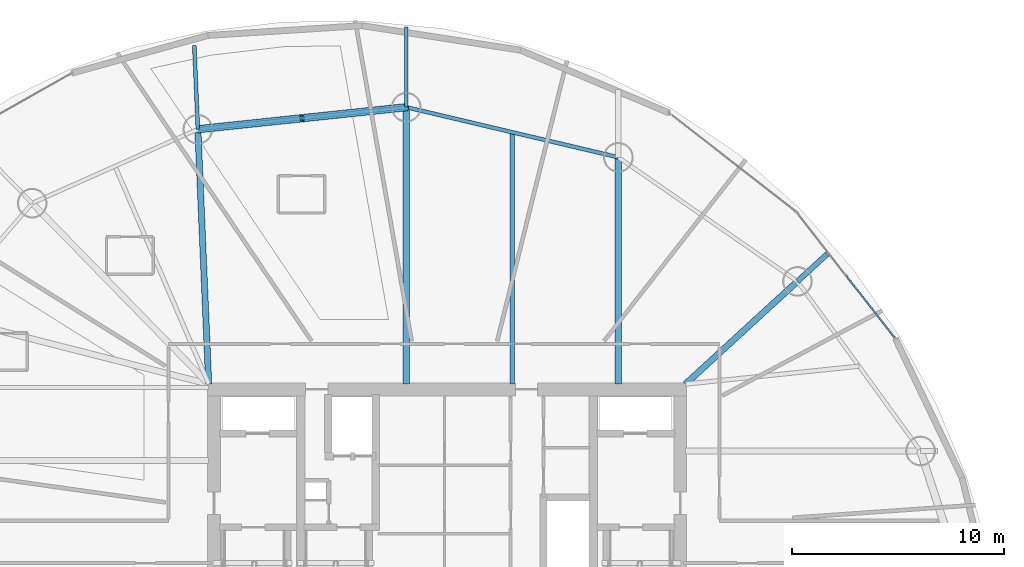
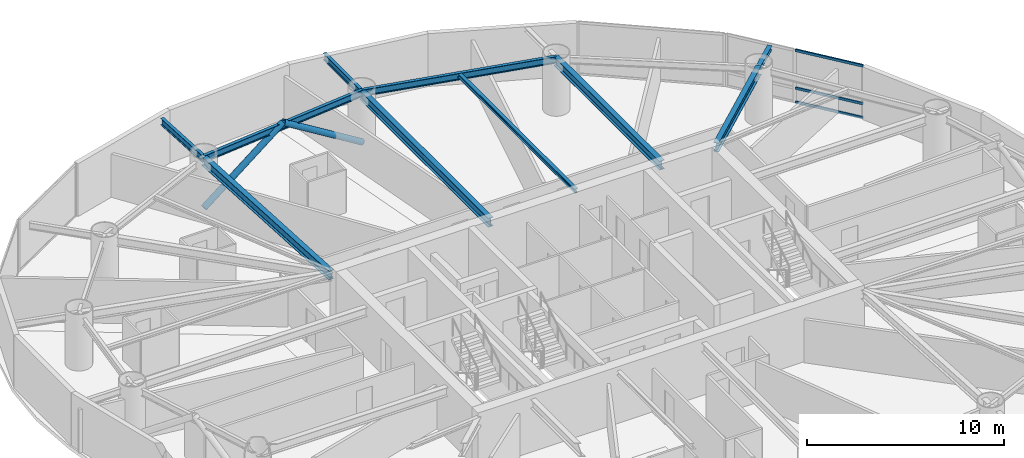
# One storey, part 11 of 20: 10 beams, 5 members, 1 element without a shape of its own.
"""IFC4 building model written with IfcOpenShell, lengths in metres."""

from ifc_helpers import new_model, si_unit, direction, frame, origin, origin_2d, place, context, subcontext, project, spatial, hollow_rectangle, hollow_circle, i_section, extrude, material, layer, layer_set, material_profile, profile_set, type_object, element, aggregate, save


model = new_model("IFC4")

# Units and contexts
model_context = context("Model", 3, precision=1e-05, world=origin(), true_north=direction((0.0, 1.0)))
body_context = subcontext(model_context, "Body", "Model", "MODEL_VIEW")
ifc_project = project(units=[si_unit("LENGTHUNIT", "METRE"), si_unit("AREAUNIT", "SQUARE_METRE"), si_unit("VOLUMEUNIT", "CUBIC_METRE"), si_unit("PLANEANGLEUNIT", "RADIAN"), si_unit("MASSUNIT", "GRAM", prefix="KILO")], contexts=[model_context])

# Site, building, storey
site_placement = place(None, origin())
site = spatial("IfcSite", under=ifc_project, at=site_placement, CompositionType="ELEMENT")
building_placement = place(site_placement, origin())
building = spatial("IfcBuilding", under=site, at=building_placement, Name="Bramvorn Convention Spire", CompositionType="ELEMENT")
storey_placement = place(building_placement, frame((0.0, 0.0, 151.800048828125)))
storey = spatial("IfcBuildingStorey", under=building, at=storey_placement, Name="L38", CompositionType="ELEMENT", Elevation=151.800048828125)

# Beams
ifc_material_1 = material(Name="Steel CSA G40.21 Grade 350 (350W)", Category="steel")
ifc_material_profile_1 = material_profile(ifc_material_1, i_section(OverallWidth=0.201904296875, OverallDepth=0.2470703125, WebThickness=0.00732421875, FlangeThickness=0.010986328125, FilletRadius=0.011962890625, at=origin_2d()))
ifc_profile_set_1 = profile_set([ifc_material_profile_1], Name="Steel CSA G40.21 Grade 350 (350W) - W250X49")
beam_type_1 = type_object("IfcBeamType", Name="BM-W250X49", PredefinedType="JOIST", material=ifc_profile_set_1)
beam_1_placement = place(storey_placement, frame((41.079345703125, 33.449951171875, 3.136474609375), z_axis=(0.0, 1.0, 0.0), x_axis=(-1.0, 0.0, 0.0)))
element("IfcBeam", 1, at=beam_1_placement, inside=storey, type_object=beam_type_1, Name="L38 composite floor joist 05", PredefinedType="JOIST", context=body_context, shape_type="SweptSolid", body=[
    extrude(i_section(OverallWidth=0.201904296875, OverallDepth=0.2470703125, WebThickness=0.00732421875, FlangeThickness=0.010986328125, FilletRadius=0.011962890625, at=origin_2d()), origin(), (0.0, 0.0, 1.0), 11.8857421875),
])
ifc_material_profile_2 = material_profile(ifc_material_1, i_section(OverallWidth=0.25390625, OverallDepth=0.2529296875, WebThickness=0.008544921875, FlangeThickness=0.01416015625, FilletRadius=0.011962890625, at=origin_2d()))
ifc_profile_set_2 = profile_set([ifc_material_profile_2], Name="Steel CSA G40.21 Grade 350 (350W) - W250X73")
beam_type_2 = type_object("IfcBeamType", Name="BM-W250X73", PredefinedType="BEAM", material=ifc_profile_set_2)
beam_2_placement = place(storey_placement, frame((54.534912109375, 38.299072265625, 3.1083984375), z_axis=(0.736834124863, 0.676073570285, 0.0), x_axis=(-0.676073570285, 0.736834124863, 0.0)))
element("IfcBeam", 2, at=beam_2_placement, inside=storey, type_object=beam_type_2, Name="L38 slab-edge cantilever tip beam MC04", PredefinedType="BEAM", context=body_context, shape_type="SweptSolid", body=[
    extrude(i_section(OverallWidth=0.25390625, OverallDepth=0.2529296875, WebThickness=0.008544921875, FlangeThickness=0.01416015625, FilletRadius=0.011962890625, at=origin_2d()), origin(), (0.0, 0.0, 1.0), 1.900634765625),
])
ifc_material_profile_3 = material_profile(ifc_material_1, i_section(OverallWidth=0.180908203125, OverallDepth=0.4169921875, WebThickness=0.010986328125, FlangeThickness=0.018310546875, FilletRadius=0.01611328125, at=origin_2d()))
ifc_profile_set_3 = profile_set([ifc_material_profile_3], Name="Steel CSA G40.21 Grade 350 (350W) - W410X85")
beam_type_3 = type_object("IfcBeamType", Name="BM-W410X85", PredefinedType="JOIST", material=ifc_profile_set_3)
beam_3_placement = place(storey_placement, frame((46.082763671875, 44.154052734375, 3.051513671875), z_axis=(-0.97322750491, 0.229843911572, 0.0), x_axis=(-0.229843911572, -0.97322750491, 0.0)))
element("IfcBeam", 3, at=beam_3_placement, inside=storey, type_object=beam_type_3, Name="L38 mega-column ring beam 05", PredefinedType="JOIST", context=body_context, shape_type="SweptSolid", body=[
    extrude(i_section(OverallWidth=0.180908203125, OverallDepth=0.4169921875, WebThickness=0.010986328125, FlangeThickness=0.018310546875, FilletRadius=0.01611328125, at=origin_2d()), origin(), (0.0, 0.0, 1.0), 10.2822265625),
])
beam_4_placement = place(storey_placement, frame((36.075927734375, 46.517333984375, 3.0263671875), z_axis=(0.0, 1.0, 0.0), x_axis=(-1.0, 0.0, 0.0)))
element("IfcBeam", 4, at=beam_4_placement, inside=storey, type_object=beam_type_3, Name="L38 Sky-Garden cantilever tip girder MC06", PredefinedType="JOIST", context=body_context, shape_type="SweptSolid", body=[
    extrude(i_section(OverallWidth=0.180908203125, OverallDepth=0.4169921875, WebThickness=0.010986328125, FlangeThickness=0.018310546875, FilletRadius=0.01611328125, at=origin_2d()), origin(), (0.0, 0.0, 1.0), 3.778076171875),
])
beam_5_placement = place(storey_placement, frame((36.075927734375, 46.517333984375, 3.051513671875), z_axis=(-0.994473491975, -0.104987969596, 0.0), x_axis=(0.104987969596, -0.994473491975, 0.0)))
element("IfcBeam", 5, at=beam_5_placement, inside=storey, type_object=beam_type_3, Name="L38 mega-column ring beam 06", PredefinedType="JOIST", context=body_context, shape_type="SweptSolid", body=[
    extrude(i_section(OverallWidth=0.180908203125, OverallDepth=0.4169921875, WebThickness=0.010986328125, FlangeThickness=0.018310546875, FilletRadius=0.01611328125, at=origin_2d()), origin(), (0.0, 0.0, 1.0), 9.892333984375),
])
beam_6_placement = place(storey_placement, frame((26.23828125, 45.478759765625, 3.0263671875), z_axis=(-0.042525218442, 0.999095393742, 0.0), x_axis=(-0.999095393742, -0.042525218442, 0.0)))
element("IfcBeam", 6, at=beam_6_placement, inside=storey, type_object=beam_type_3, Name="L38 Sky-Garden cantilever tip girder MC07", PredefinedType="JOIST", context=body_context, shape_type="SweptSolid", body=[
    extrude(i_section(OverallWidth=0.180908203125, OverallDepth=0.4169921875, WebThickness=0.010986328125, FlangeThickness=0.018310546875, FilletRadius=0.01611328125, at=origin_2d()), origin(), (0.0, 0.0, 1.0), 3.949951171875),
])
ifc_material_profile_4 = material_profile(ifc_material_1, i_section(OverallWidth=0.2919921875, OverallDepth=0.551025390625, WebThickness=0.01513671875, FlangeThickness=0.0244140625, FilletRadius=0.01904296875, at=origin_2d()))
ifc_profile_set_4 = profile_set([ifc_material_profile_4], Name="Steel CSA G40.21 Grade 350 (350W) - W530X182")
beam_type_4 = type_object("IfcBeamType", Name="BM-W530X182", PredefinedType="BEAM", material=ifc_profile_set_4)
beam_7_placement = place(storey_placement, frame((49.25, 33.449951171875, 2.984375), z_axis=(0.736833323746, 0.676074443399, 0.0), x_axis=(-0.676074443399, 0.736833323746, 0.0)))
element("IfcBeam", 7, at=beam_7_placement, inside=storey, type_object=beam_type_4, Name="L38 radial floor girder MC04", PredefinedType="BEAM", context=body_context, shape_type="SweptSolid", body=[
    extrude(i_section(OverallWidth=0.2919921875, OverallDepth=0.551025390625, WebThickness=0.01513671875, FlangeThickness=0.0244140625, FilletRadius=0.01904296875, at=origin_2d()), origin(), (0.0, 0.0, 1.0), 7.17236328125),
])
beam_8_placement = place(storey_placement, frame((46.082763671875, 33.449951171875, 2.984375), z_axis=(0.0, 1.0, 0.0), x_axis=(-1.0, 0.0, 0.0)))
element("IfcBeam", 8, at=beam_8_placement, inside=storey, type_object=beam_type_4, Name="L38 radial floor girder MC05", PredefinedType="BEAM", context=body_context, shape_type="SweptSolid", body=[
    extrude(i_section(OverallWidth=0.2919921875, OverallDepth=0.551025390625, WebThickness=0.01513671875, FlangeThickness=0.0244140625, FilletRadius=0.01904296875, at=origin_2d()), origin(), (0.0, 0.0, 1.0), 10.7041015625),
])
beam_9_placement = place(storey_placement, frame((36.075927734375, 33.449951171875, 2.95947265625), z_axis=(0.0, 1.0, 0.0), x_axis=(-1.0, 0.0, 0.0)))
element("IfcBeam", 9, at=beam_9_placement, inside=storey, type_object=beam_type_4, Name="L38 Sky-Garden back-span radial girder MC06", PredefinedType="BEAM", context=body_context, shape_type="SweptSolid", body=[
    extrude(i_section(OverallWidth=0.2919921875, OverallDepth=0.551025390625, WebThickness=0.01513671875, FlangeThickness=0.0244140625, FilletRadius=0.01904296875, at=origin_2d()), origin(), (0.0, 0.0, 1.0), 13.0673828125),
])
beam_10_placement = place(storey_placement, frame((26.75, 33.449951171875, 2.95947265625), z_axis=(-0.042502657955, 0.999096353745, 0.0), x_axis=(-0.999096353745, -0.042502657955, 0.0)))
element("IfcBeam", 10, at=beam_10_placement, inside=storey, type_object=beam_type_4, Name="L38 Sky-Garden back-span radial girder MC07", PredefinedType="BEAM", context=body_context, shape_type="SweptSolid", body=[
    extrude(i_section(OverallWidth=0.2919921875, OverallDepth=0.551025390625, WebThickness=0.01513671875, FlangeThickness=0.0244140625, FilletRadius=0.01904296875, at=origin_2d()), origin(), (0.0, 0.0, 1.0), 12.039794921875),
])

# Curtain wall, members
ifc_material_2 = material(Name="Anodised Bronze Unitised Curtain Wall", Category="aluminium")
ifc_layer = layer(ifc_material_2, 0.179931640625)
ifc_layer_set = layer_set([ifc_layer], Name="Anodised Bronze Unitised Curtain Wall - CW-HTL-FRIT")
curtain_wall_type = type_object("IfcCurtainWallType", Name="CW-HTL-FRIT", PredefinedType="USERDEFINED", material=ifc_layer_set)
curtain_wall_placement = place(storey_placement, origin())
curtain_wall = element("IfcCurtainWall", 11, at=curtain_wall_placement, inside=storey, type_object=curtain_wall_type, Name="L38 fritted glass curtain wall 05", ObjectType="UNITISED CURTAIN WALL", PredefinedType="USERDEFINED")
ifc_material_3 = material(Name="Anodised Bronze Aluminium 6063-T6", Category="aluminium")
ifc_material_profile_5 = material_profile(ifc_material_3, hollow_rectangle(XDim=0.080078125, YDim=0.159912109375, WallThickness=0.00390625, InnerFilletRadius=0.0009765625, OuterFilletRadius=0.00390625, at=origin_2d()))
ifc_profile_set_5 = profile_set([ifc_material_profile_5], Name="Anodised Bronze Aluminium 6063-T6 - CWT80X160")
member_type_1 = type_object("IfcMemberType", Name="CW-TRN-150", PredefinedType="USERDEFINED", material=ifc_profile_set_5)
member_1_placement = place(storey_placement, frame((56.844970703125, 38.55859375, 0.030029296875), z_axis=(0.615668405964, -0.788005338749, 0.0), x_axis=(0.788005338749, 0.615668405964, 0.0)))
member_1 = element("IfcMember", 12, at=member_1_placement, type_object=member_type_1, Name="CW2 transom 2.1", ObjectType="TRANSOM", PredefinedType="USERDEFINED", context=body_context, shape_type="SweptSolid", body=[
    extrude(hollow_rectangle(XDim=0.080078125, YDim=0.159912109375, WallThickness=0.00390625, InnerFilletRadius=0.0009765625, OuterFilletRadius=0.00390625, at=origin_2d()), origin(), (0.0, 0.0, 1.0), 3.694580078125),
])
member_2_placement = place(storey_placement, frame((56.844970703125, 38.55859375, 0.89990234375), z_axis=(0.615668405964, -0.788005338749, 0.0), x_axis=(0.788005338749, 0.615668405964, 0.0)))
member_2 = element("IfcMember", 13, at=member_2_placement, type_object=member_type_1, Name="CW2 transom 2.2", ObjectType="TRANSOM", PredefinedType="USERDEFINED", context=body_context, shape_type="SweptSolid", body=[
    extrude(hollow_rectangle(XDim=0.080078125, YDim=0.159912109375, WallThickness=0.00390625, InnerFilletRadius=0.0009765625, OuterFilletRadius=0.00390625, at=origin_2d()), origin(), (0.0, 0.0, 1.0), 3.694580078125),
])
member_3_placement = place(storey_placement, frame((56.844970703125, 38.55859375, 3.22998046875), z_axis=(0.615668405964, -0.788005338749, 0.0), x_axis=(0.788005338749, 0.615668405964, 0.0)))
member_3 = element("IfcMember", 14, at=member_3_placement, type_object=member_type_1, Name="CW2 transom 2.3", ObjectType="TRANSOM", PredefinedType="USERDEFINED", context=body_context, shape_type="SweptSolid", body=[
    extrude(hollow_rectangle(XDim=0.080078125, YDim=0.159912109375, WallThickness=0.00390625, InnerFilletRadius=0.0009765625, OuterFilletRadius=0.00390625, at=origin_2d()), origin(), (0.0, 0.0, 1.0), 3.694580078125),
])
aggregate(curtain_wall, [member_1, member_2, member_3])

# Members
ifc_material_profile_6 = material_profile(ifc_material_1, hollow_circle(Radius=0.177734375, WallThickness=0.015869140625, at=origin_2d()))
ifc_profile_set_6 = profile_set([ifc_material_profile_6], Name="Steel CSA G40.21 Grade 350 (350W) - CHS356X16")
member_type_2 = type_object("IfcMemberType", Name="MBR-CHS356X16", PredefinedType="BRACE", material=ifc_profile_set_6)
member_4_placement = place(storey_placement, frame((36.075927734375, 46.517333984375, 0.0), z_axis=(-0.830346972509, -0.087658725954, 0.550308870553), x_axis=(0.104985392894, -0.994473763997, 0.0)))
element("IfcMember", 15, at=member_4_placement, inside=storey, type_object=member_type_2, Name="L38 perimeter Gothic lancet brace 6A", PredefinedType="BRACE", context=body_context, shape_type="SweptSolid", body=[
    extrude(hollow_circle(Radius=0.177734375, WallThickness=0.015869140625, at=origin_2d()), origin(), (0.0, 0.0, 1.0), 5.924072265625),
])
member_5_placement = place(storey_placement, frame((26.23828125, 45.478759765625, 0.0), z_axis=(0.830334174424, 0.087661725766, 0.550327702937), x_axis=(-0.104990546424, 0.994473219932, 0.0)))
element("IfcMember", 16, at=member_5_placement, inside=storey, type_object=member_type_2, Name="L38 perimeter Gothic lancet brace 6B", PredefinedType="BRACE", context=body_context, shape_type="SweptSolid", body=[
    extrude(hollow_circle(Radius=0.177734375, WallThickness=0.015869140625, at=origin_2d()), origin(), (0.0, 0.0, 1.0), 5.923828125),
])

save(model, "model.ifc")
